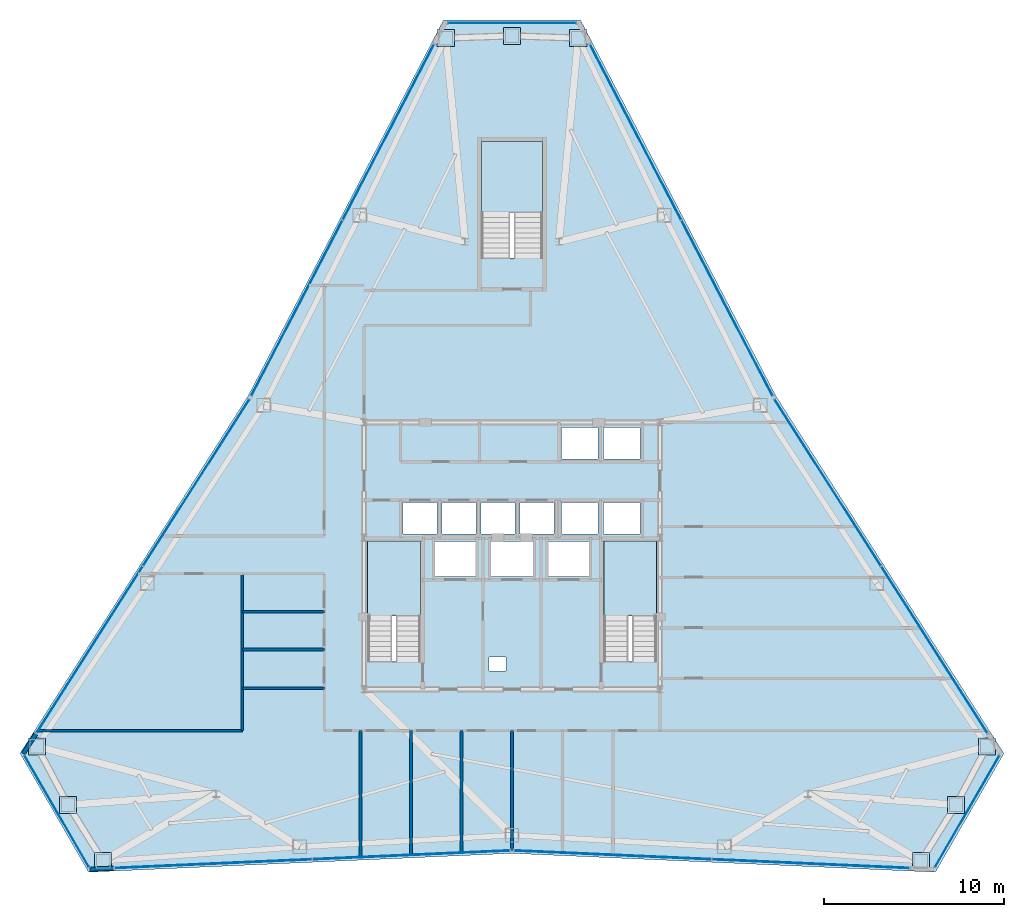
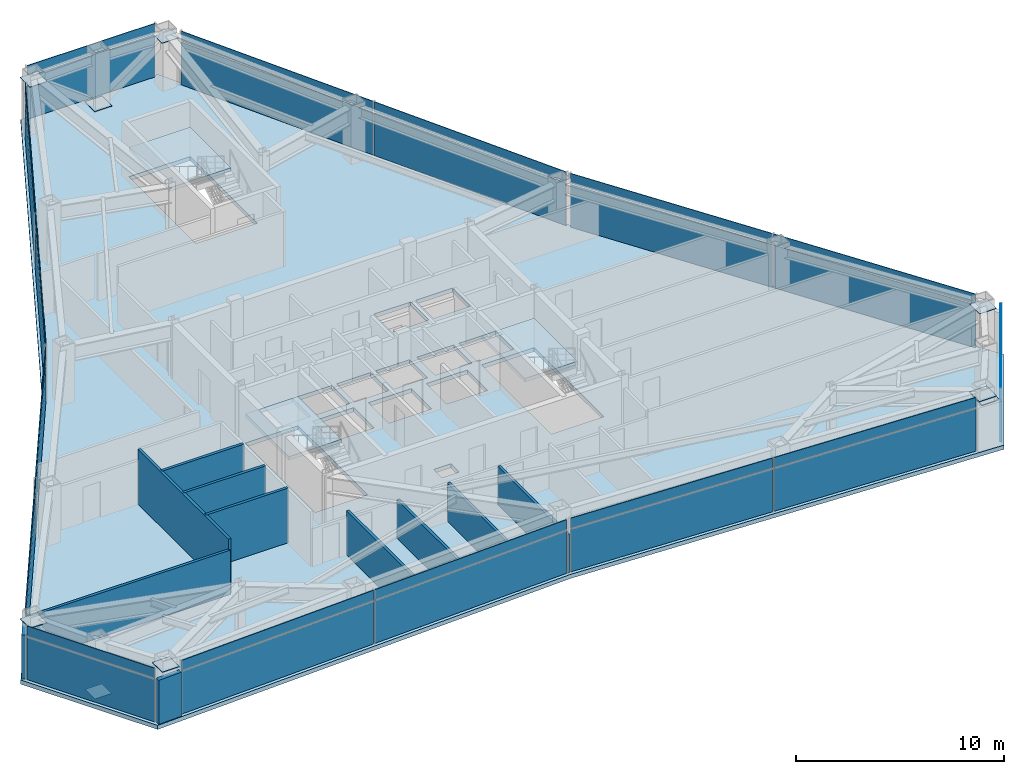
# One storey, part 9 of 13: 39 plates, 11 walls, 4 slabs, 12 elements without a shape of their own.
"""IFC4 building model written with IfcOpenShell, lengths in metres."""

from ifc_helpers import new_model, si_unit, direction, frame, frame_2d, origin, origin_2d, place, context, subcontext, project, spatial, polyline, rectangle, outline, extrude, source, transform, mapped, material, layer, layer_set, type_object, type_shapes, element, aggregate, save


model = new_model("IFC4")

# Units and contexts
model_context = context("Model", 3, precision=1e-05, world=origin(), true_north=direction((0.0, 1.0)))
body_context = subcontext(model_context, "Body", "Model", "MODEL_VIEW")
ifc_project = project(units=[si_unit("LENGTHUNIT", "METRE"), si_unit("AREAUNIT", "SQUARE_METRE"), si_unit("VOLUMEUNIT", "CUBIC_METRE"), si_unit("PLANEANGLEUNIT", "RADIAN"), si_unit("MASSUNIT", "GRAM", prefix="KILO")], contexts=[model_context])

# Site, building, storey
site_placement = place(None, origin())
site = spatial("IfcSite", under=ifc_project, at=site_placement, CompositionType="ELEMENT")
building_placement = place(site_placement, origin())
building = spatial("IfcBuilding", under=site, at=building_placement, Name="Varakhsha Concourse Tower", CompositionType="ELEMENT")
storey_placement = place(building_placement, frame((0.0, 0.0, 186.14990234375)))
storey = spatial("IfcBuildingStorey", under=building, at=storey_placement, Name="L53", CompositionType="ELEMENT", Elevation=186.14990234375)

# Slab
ifc_material_1 = material(Name="Concrete fc 45 MPa", Category="concrete")
ifc_layer_1 = layer(ifc_material_1, 0.239990234375, Name="SL-FLR-240")
ifc_layer_set_1 = layer_set([ifc_layer_1], Name="Concrete fc 45 MPa")
slab_type_1 = type_object("IfcSlabType", Name="SL-FLR-240", PredefinedType="FLOOR", material=ifc_layer_set_1)
slab_1_placement = place(storey_placement, frame((0.0, 0.0, -0.239990234375)))
element("IfcSlab", 1, at=slab_1_placement, inside=storey, type_object=slab_type_1, Name="L53 Composite Structural Slab", PredefinedType="FLOOR", context=body_context, shape_type="SweptSolid", body=[
    extrude(outline(polyline([(43.800048828125, 53.498291015625), (36.199951171875, 53.498291015625), (25.364501953125, 32.649658203125), (12.72705078125, 12.841796875), (16.527099609375, 6.260009765625), (40.0, 7.300537109375), (63.472900390625, 6.260009765625), (67.27294921875, 12.841796875), (54.635498046875, 32.649658203125), (43.800048828125, 53.498291015625)]), holes=[polyline([(34.919921875, 17.93994140625), (34.919921875, 24.6298828125), (32.0, 24.6298828125), (32.0, 17.93994140625), (34.919921875, 17.93994140625)]), polyline([(48.02001953125, 17.93994140625), (48.02001953125, 24.6298828125), (45.10009765625, 24.6298828125), (45.10009765625, 17.93994140625), (48.02001953125, 17.93994140625)]), polyline([(41.699951171875, 40.300048828125), (41.699951171875, 46.75), (38.300048828125, 46.75), (38.300048828125, 40.300048828125), (41.699951171875, 40.300048828125)]), polyline([(33.9599609375, 25.0), (35.840087890625, 25.0), (35.840087890625, 26.739990234375), (33.9599609375, 26.739990234375), (33.9599609375, 25.0)]), polyline([(36.1201171875, 25.0), (38.0, 25.0), (38.0, 26.739990234375), (36.1201171875, 26.739990234375), (36.1201171875, 25.0)]), polyline([(38.280029296875, 25.0), (40.159912109375, 25.0), (40.159912109375, 26.739990234375), (38.280029296875, 26.739990234375), (38.280029296875, 25.0)]), polyline([(40.43994140625, 25.0), (42.320068359375, 25.0), (42.320068359375, 26.739990234375), (40.43994140625, 26.739990234375), (40.43994140625, 25.0)]), polyline([(42.739990234375, 29.159912109375), (44.780029296875, 29.159912109375), (44.780029296875, 30.89990234375), (42.739990234375, 30.89990234375), (42.739990234375, 29.159912109375)]), polyline([(45.06005859375, 29.159912109375), (47.10009765625, 29.159912109375), (47.10009765625, 30.89990234375), (45.06005859375, 30.89990234375), (45.06005859375, 29.159912109375)]), polyline([(42.739990234375, 25.0), (44.780029296875, 25.0), (44.780029296875, 26.739990234375), (42.739990234375, 26.739990234375), (42.739990234375, 25.0)]), polyline([(45.06005859375, 25.0), (47.10009765625, 25.0), (47.10009765625, 26.739990234375), (45.06005859375, 26.739990234375), (45.06005859375, 25.0)]), polyline([(35.7099609375, 22.639892578125), (37.989990234375, 22.639892578125), (37.989990234375, 24.60009765625), (35.7099609375, 24.60009765625), (35.7099609375, 22.639892578125)]), polyline([(42.010009765625, 22.639892578125), (44.2900390625, 22.639892578125), (44.2900390625, 24.60009765625), (42.010009765625, 24.60009765625), (42.010009765625, 22.639892578125)]), polyline([(38.81005859375, 22.639892578125), (41.18994140625, 22.639892578125), (41.18994140625, 24.60009765625), (38.81005859375, 24.60009765625), (38.81005859375, 22.639892578125)]), polyline([(38.719970703125, 17.39990234375), (39.679931640625, 17.39990234375), (39.679931640625, 18.199951171875), (38.719970703125, 18.199951171875), (38.719970703125, 17.39990234375)])]), origin(), (0.0, 0.0, 1.0), 0.239990234375),
])

# Stair, slab
stair_type_1 = type_object("IfcStairType", Name="ST-DOGLEG-1360", PredefinedType="HALF_TURN_STAIR", material=ifc_material_1)
stair_1_placement = place(storey_placement, origin())
stair_1 = element("IfcStair", 2, at=stair_1_placement, inside=storey, type_object=stair_type_1, Name="L53 Protected Exit Stair ST1", PredefinedType="HALF_TURN_STAIR")
ifc_layer_2 = layer(ifc_material_1, 0.199951171875, Name="SL-LAND-200")
ifc_layer_set_2 = layer_set([ifc_layer_2], Name="Concrete fc 45 MPa")
slab_type_2 = type_object("IfcSlabType", Name="SL-LAND-200", PredefinedType="LANDING", material=ifc_layer_set_2)
slab_2_placement = place(storey_placement, frame((0.0, 0.0, 1.525146484375)))
slab_2 = element("IfcSlab", 3, at=slab_2_placement, type_object=slab_type_2, Name="ST1 landing 1", PredefinedType="LANDING", context=body_context, shape_type="SweptSolid", body=[
    extrude(outline(polyline([(34.919921875, 20.4599609375), (34.919921875, 24.6298828125), (32.0, 24.6298828125), (32.0, 20.4599609375), (34.919921875, 20.4599609375)])), origin(), (0.0, 0.0, 1.0), 0.199951171875),
])
aggregate(stair_1, [slab_2])

stair_2_placement = place(storey_placement, origin())
stair_2 = element("IfcStair", 4, at=stair_2_placement, inside=storey, type_object=stair_type_1, Name="L53 Protected Exit Stair ST2", PredefinedType="HALF_TURN_STAIR")
slab_3_placement = place(storey_placement, frame((0.0, 0.0, 1.525146484375)))
slab_3 = element("IfcSlab", 5, at=slab_3_placement, type_object=slab_type_2, Name="ST2 landing 1", PredefinedType="LANDING", context=body_context, shape_type="SweptSolid", body=[
    extrude(outline(polyline([(48.02001953125, 20.4599609375), (48.02001953125, 24.6298828125), (45.10009765625, 24.6298828125), (45.10009765625, 20.4599609375), (48.02001953125, 20.4599609375)])), origin(), (0.0, 0.0, 1.0), 0.199951171875),
])
aggregate(stair_2, [slab_3])

stair_type_2 = type_object("IfcStairType", Name="ST-DOGLEG-1600", PredefinedType="HALF_TURN_STAIR", material=ifc_material_1)
stair_3_placement = place(storey_placement, origin())
stair_3 = element("IfcStair", 6, at=stair_3_placement, inside=storey, type_object=stair_type_2, Name="L53 Protected Exit Stair ST5", PredefinedType="HALF_TURN_STAIR")
slab_4_placement = place(storey_placement, frame((0.0, 0.0, 1.525146484375)))
slab_4 = element("IfcSlab", 7, at=slab_4_placement, type_object=slab_type_2, Name="ST5 landing 1", PredefinedType="LANDING", context=body_context, shape_type="SweptSolid", body=[
    extrude(outline(polyline([(41.699951171875, 42.820068359375), (41.699951171875, 46.75), (38.300048828125, 46.75), (38.300048828125, 42.820068359375), (41.699951171875, 42.820068359375)])), origin(), (0.0, 0.0, 1.0), 0.199951171875),
])
aggregate(stair_3, [slab_4])

# Plates
ifc_material_2 = material(Name="Structural Steel ASTM A572 Grade 50", Category="steel")
ifc_layer_3 = layer(ifc_material_2, 0.030029296875, Name="PL-ENDCAP-950")
ifc_layer_set_3 = layer_set([ifc_layer_3], Name="Structural Steel ASTM A572 Grade 50")
plate_type_1 = type_object("IfcPlateType", Name="PL-ENDCAP-950", PredefinedType="USERDEFINED", material=ifc_layer_set_3)
shared_shape_1 = source(origin(), body_context, "Body", "SweptSolid", [
    extrude(rectangle(XDim=0.949951171875, YDim=0.949951171875, at=origin_2d()), origin(), (0.0, 0.0, 1.0), 0.030029296875),
])
type_shapes(plate_type_1, [shared_shape_1])
for number, where, z_axis, x_axis, name in (
    (8, (40.0, 52.6181640625, 0.10498046875), (0.0, 0.0, 1.0), (1.0, 0.0, 0.0), "Hollow Section End Cap GP-NODE-L53-0544"),
    (9, (43.669921875, 52.49462890625, 2.89501953125), (0.0, 0.0, 1.0), (1.0, 0.0, 0.0), "Hollow Section End Cap GP-NODE-L53-0545"),
    (10, (36.330078125, 52.49462890625, 2.89501953125), (0.0, 0.0, 1.0), (1.0, 0.0, 0.0), "Hollow Section End Cap GP-NODE-L53-0546"),
    (11, (15.38916015625, 9.990966796875, 0.10498046875), (0.0, 0.0, 1.0), (1.0, 0.0, 0.0), "Hollow Section End Cap GP-NODE-L53-0547"),
    (12, (13.6611328125, 13.23095703125, 2.89501953125), (0.0, 0.0, 1.0), (1.0, 0.0, 0.0), "Hollow Section End Cap GP-NODE-L53-0548"),
    (13, (17.3310546875, 6.87451171875, 2.89501953125), (0.0, 0.0, 1.0), (1.0, 0.0, 0.0), "Hollow Section End Cap GP-NODE-L53-0549"),
    (14, (64.61083984375, 9.990966796875, 0.10498046875), (0.0, 0.0, 1.0), (1.0, 0.0, 0.0), "Hollow Section End Cap GP-NODE-L53-0550"),
    (15, (62.6689453125, 6.87451171875, 2.89501953125), (0.0, 0.0, 1.0), (1.0, 0.0, 0.0), "Hollow Section End Cap GP-NODE-L53-0551"),
    (16, (66.3388671875, 13.23095703125, 2.89501953125), (0.0, 0.0, 1.0), (1.0, 0.0, 0.0), "Hollow Section End Cap GP-NODE-L53-0552"),
):
    element("IfcPlate", number, at=place(storey_placement, frame(where, z_axis=z_axis, x_axis=x_axis)), inside=storey, type_object=plate_type_1, Name=name, ObjectType="END PLATE", PredefinedType="USERDEFINED", context=body_context, shape_type="MappedRepresentation", body=[
        mapped(shared_shape_1, transform((0.0, 0.0, 0.0), scale=1.0)),
    ])

# Curtain wall, plates
ifc_material_3 = material(Name="Anodised Bronze Architectural Aluminium AA 6063-T6", Category="aluminium")
ifc_layer_4 = layer(ifc_material_3, 0.2099609375, Name="CW-SYS-04")
ifc_layer_set_4 = layer_set([ifc_layer_4], Name="Anodised Bronze Architectural Aluminium AA 6063-T6")
curtain_wall_type = type_object("IfcCurtainWallType", Name="CW-SYS-04", PredefinedType="NOTDEFINED", material=ifc_layer_set_4)
curtain_wall_1_placement = place(storey_placement, origin())
curtain_wall_1 = element("IfcCurtainWall", 17, at=curtain_wall_1_placement, inside=storey, type_object=curtain_wall_type, Name="L53 Crystal Curtain Wall F2", PredefinedType="NOTDEFINED")
ifc_material_4 = material(Name="Low-E Triple Insulating Glass IGU 44 mm", Category="glass")
ifc_layer_5 = layer(ifc_material_4, 0.0439453125, Name="CWP-IGU-44")
ifc_layer_set_5 = layer_set([ifc_layer_5], Name="Low-E Triple Insulating Glass IGU 44 mm")
plate_type_2 = type_object("IfcPlateType", Name="CWP-IGU-44", PredefinedType="CURTAIN_PANEL", material=ifc_layer_set_5)
shared_shape_2 = source(origin(), body_context, "Body", "SweptSolid", [
    extrude(rectangle(XDim=10.928955078125, YDim=0.0439453125, at=origin_2d()), origin(), (0.0, 0.0, 1.0), 2.49609375),
])
plate_1_placement = place(storey_placement, frame((28.079345703125, 37.5263671875, 0.031982421875), z_axis=(0.0, 0.0, 1.0), x_axis=(0.461155577875, 0.887319295967, 0.0)))
plate_1 = element("IfcPlate", 18, at=plate_1_placement, type_object=plate_type_2, Name="CW-L53-F2 Panel 00-00", PredefinedType="CURTAIN_PANEL", context=body_context, shape_type="MappedRepresentation", body=[
    mapped(shared_shape_2, transform((0.0, 0.0, 0.0), scale=1.0)),
])
plate_2_placement = place(storey_placement, frame((33.151123046875, 47.284912109375, 0.031982421875), z_axis=(0.0, 0.0, 1.0), x_axis=(0.461155577875, 0.887319295967, 0.0)))
plate_2 = element("IfcPlate", 19, at=plate_2_placement, type_object=plate_type_2, Name="CW-L53-F2 Panel 01-00", PredefinedType="CURTAIN_PANEL", context=body_context, shape_type="MappedRepresentation", body=[
    mapped(shared_shape_2, transform((0.0, 0.0, 0.0), scale=1.0)),
])

# Curtain wall, plate
curtain_wall_2_placement = place(storey_placement, origin())
curtain_wall_2 = element("IfcCurtainWall", 20, at=curtain_wall_2_placement, inside=storey, type_object=curtain_wall_type, Name="L53 Crystal Curtain Wall F3", PredefinedType="NOTDEFINED")
plate_3_placement = place(storey_placement, frame((16.583251953125, 18.588623046875, 0.031982421875), z_axis=(0.0, 0.0, 1.0), x_axis=(0.537863262638, 0.84303209352, 0.0)))
plate_3 = element("IfcPlate", 21, at=plate_3_placement, type_object=plate_type_2, Name="CW-L53-F3 Panel 00-00", PredefinedType="CURTAIN_PANEL", context=body_context, shape_type="MappedRepresentation", body=[
    mapped(shared_shape_2, transform((0.0, 0.0, 0.0), scale=1.0)),
])

curtain_wall_3_placement = place(storey_placement, origin())
curtain_wall_3 = element("IfcCurtainWall", 22, at=curtain_wall_3_placement, inside=storey, type_object=curtain_wall_type, Name="L53 Crystal Curtain Wall F5", PredefinedType="NOTDEFINED")
plate_4_placement = place(storey_placement, frame((34.41943359375, 7.21337890625, 0.031982421875), z_axis=(0.0, 0.0, 1.0), x_axis=(-0.999018917807, -0.04428545883, 0.0)))
plate_4 = element("IfcPlate", 23, at=plate_4_placement, type_object=plate_type_2, Name="CW-L53-F5 Panel 00-00", PredefinedType="CURTAIN_PANEL", context=body_context, shape_type="MappedRepresentation", body=[
    mapped(shared_shape_2, transform((0.0, 0.0, 0.0), scale=1.0)),
])

curtain_wall_4_placement = place(storey_placement, origin())
curtain_wall_4 = element("IfcCurtainWall", 24, at=curtain_wall_4_placement, inside=storey, type_object=curtain_wall_type, Name="L53 Crystal Curtain Wall F6", PredefinedType="NOTDEFINED")
plate_5_placement = place(storey_placement, frame((56.56787109375, 6.726318359375, 0.031982421875), z_axis=(0.0, 0.0, 1.0), x_axis=(-0.999018917807, 0.04428545883, 0.0)))
plate_5 = element("IfcPlate", 25, at=plate_5_placement, type_object=plate_type_2, Name="CW-L53-F6 Panel 00-00", PredefinedType="CURTAIN_PANEL", context=body_context, shape_type="MappedRepresentation", body=[
    mapped(shared_shape_2, transform((0.0, 0.0, 0.0), scale=1.0)),
])

curtain_wall_5_placement = place(storey_placement, origin())
curtain_wall_5 = element("IfcCurtainWall", 26, at=curtain_wall_5_placement, inside=storey, type_object=curtain_wall_type, Name="L53 Crystal Curtain Wall F8", PredefinedType="NOTDEFINED")
plate_6_placement = place(storey_placement, frame((57.501220703125, 27.8603515625, 0.031982421875), z_axis=(0.0, 0.0, 1.0), x_axis=(0.537863262638, -0.84303209352, 0.0)))
plate_6 = element("IfcPlate", 27, at=plate_6_placement, type_object=plate_type_2, Name="CW-L53-F8 Panel 00-00", PredefinedType="CURTAIN_PANEL", context=body_context, shape_type="MappedRepresentation", body=[
    mapped(shared_shape_2, transform((0.0, 0.0, 0.0), scale=1.0)),
])

# Curtain wall, plates
curtain_wall_6_placement = place(storey_placement, origin())
curtain_wall_6 = element("IfcCurtainWall", 28, at=curtain_wall_6_placement, inside=storey, type_object=curtain_wall_type, Name="L53 Crystal Curtain Wall F9", PredefinedType="NOTDEFINED")
plate_7_placement = place(storey_placement, frame((46.848876953125, 47.284912109375, 0.031982421875), z_axis=(0.0, 0.0, 1.0), x_axis=(0.461155577875, -0.887319295967, 0.0)))
plate_7 = element("IfcPlate", 29, at=plate_7_placement, type_object=plate_type_2, Name="CW-L53-F9 Panel 00-00", PredefinedType="CURTAIN_PANEL", context=body_context, shape_type="MappedRepresentation", body=[
    mapped(shared_shape_2, transform((0.0, 0.0, 0.0), scale=1.0)),
])
plate_8_placement = place(storey_placement, frame((51.920654296875, 37.5263671875, 0.031982421875), z_axis=(0.0, 0.0, 1.0), x_axis=(0.461155577875, -0.887319295967, 0.0)))
plate_8 = element("IfcPlate", 30, at=plate_8_placement, type_object=plate_type_2, Name="CW-L53-F9 Panel 01-00", PredefinedType="CURTAIN_PANEL", context=body_context, shape_type="MappedRepresentation", body=[
    mapped(shared_shape_2, transform((0.0, 0.0, 0.0), scale=1.0)),
])

# Plate
ifc_material_5 = material(Name="Insulated Anodised Bronze Aluminium Spandrel 36 mm", Category="aluminium")
ifc_layer_6 = layer(ifc_material_5, 0.035888671875, Name="CWP-SPN-36")
ifc_layer_set_6 = layer_set([ifc_layer_6], Name="Insulated Anodised Bronze Aluminium Spandrel 36 mm")
plate_type_3 = type_object("IfcPlateType", Name="CWP-SPN-36", PredefinedType="USERDEFINED", material=ifc_layer_set_6)
shared_shape_3 = source(origin(), body_context, "Body", "SweptSolid", [
    extrude(rectangle(XDim=10.928955078125, YDim=0.035888671875, at=origin_2d()), origin(), (0.0, 0.0, 1.0), 0.5859375),
])
plate_9_placement = place(storey_placement, frame((28.079345703125, 37.5263671875, 2.592041015625), z_axis=(0.0, 0.0, 1.0), x_axis=(0.461155577875, 0.887319295967, 0.0)))
plate_9 = element("IfcPlate", 31, at=plate_9_placement, type_object=plate_type_3, Name="CW-L53-F2 Panel 00-01", ObjectType="SPANDREL", PredefinedType="USERDEFINED", context=body_context, shape_type="MappedRepresentation", body=[
    mapped(shared_shape_3, transform((0.0, 0.0, 0.0), scale=1.0)),
])

plate_10_placement = place(storey_placement, frame((33.151123046875, 47.284912109375, 2.592041015625), z_axis=(0.0, 0.0, 1.0), x_axis=(0.461155577875, 0.887319295967, 0.0)))
plate_10 = element("IfcPlate", 32, at=plate_10_placement, type_object=plate_type_3, Name="CW-L53-F2 Panel 01-01", ObjectType="SPANDREL", PredefinedType="USERDEFINED", context=body_context, shape_type="MappedRepresentation", body=[
    mapped(shared_shape_3, transform((0.0, 0.0, 0.0), scale=1.0)),
])

aggregate(curtain_wall_1, [plate_1, plate_9, plate_2, plate_10])

plate_11_placement = place(storey_placement, frame((16.583251953125, 18.588623046875, 2.592041015625), z_axis=(0.0, 0.0, 1.0), x_axis=(0.537863262638, 0.84303209352, 0.0)))
plate_11 = element("IfcPlate", 33, at=plate_11_placement, type_object=plate_type_3, Name="CW-L53-F3 Panel 00-01", ObjectType="SPANDREL", PredefinedType="USERDEFINED", context=body_context, shape_type="MappedRepresentation", body=[
    mapped(shared_shape_3, transform((0.0, 0.0, 0.0), scale=1.0)),
])

plate_12_placement = place(storey_placement, frame((34.41943359375, 7.21337890625, 2.592041015625), z_axis=(0.0, 0.0, 1.0), x_axis=(-0.999018917807, -0.04428545883, 0.0)))
plate_12 = element("IfcPlate", 34, at=plate_12_placement, type_object=plate_type_3, Name="CW-L53-F5 Panel 00-01", ObjectType="SPANDREL", PredefinedType="USERDEFINED", context=body_context, shape_type="MappedRepresentation", body=[
    mapped(shared_shape_3, transform((0.0, 0.0, 0.0), scale=1.0)),
])

plate_13_placement = place(storey_placement, frame((56.56787109375, 6.726318359375, 2.592041015625), z_axis=(0.0, 0.0, 1.0), x_axis=(-0.999018917807, 0.04428545883, 0.0)))
plate_13 = element("IfcPlate", 35, at=plate_13_placement, type_object=plate_type_3, Name="CW-L53-F6 Panel 00-01", ObjectType="SPANDREL", PredefinedType="USERDEFINED", context=body_context, shape_type="MappedRepresentation", body=[
    mapped(shared_shape_3, transform((0.0, 0.0, 0.0), scale=1.0)),
])

plate_14_placement = place(storey_placement, frame((57.501220703125, 27.8603515625, 2.592041015625), z_axis=(0.0, 0.0, 1.0), x_axis=(0.537863262638, -0.84303209352, 0.0)))
plate_14 = element("IfcPlate", 36, at=plate_14_placement, type_object=plate_type_3, Name="CW-L53-F8 Panel 00-01", ObjectType="SPANDREL", PredefinedType="USERDEFINED", context=body_context, shape_type="MappedRepresentation", body=[
    mapped(shared_shape_3, transform((0.0, 0.0, 0.0), scale=1.0)),
])

plate_15_placement = place(storey_placement, frame((46.848876953125, 47.284912109375, 2.592041015625), z_axis=(0.0, 0.0, 1.0), x_axis=(0.461155577875, -0.887319295967, 0.0)))
plate_15 = element("IfcPlate", 37, at=plate_15_placement, type_object=plate_type_3, Name="CW-L53-F9 Panel 00-01", ObjectType="SPANDREL", PredefinedType="USERDEFINED", context=body_context, shape_type="MappedRepresentation", body=[
    mapped(shared_shape_3, transform((0.0, 0.0, 0.0), scale=1.0)),
])

plate_16_placement = place(storey_placement, frame((51.920654296875, 37.5263671875, 2.592041015625), z_axis=(0.0, 0.0, 1.0), x_axis=(0.461155577875, -0.887319295967, 0.0)))
plate_16 = element("IfcPlate", 38, at=plate_16_placement, type_object=plate_type_3, Name="CW-L53-F9 Panel 01-01", ObjectType="SPANDREL", PredefinedType="USERDEFINED", context=body_context, shape_type="MappedRepresentation", body=[
    mapped(shared_shape_3, transform((0.0, 0.0, 0.0), scale=1.0)),
])

aggregate(curtain_wall_6, [plate_7, plate_15, plate_8, plate_16])

shared_shape_4 = source(origin(), body_context, "Body", "SweptSolid", [
    extrude(rectangle(XDim=10.92919921875, YDim=0.0439453125, at=origin_2d()), origin(), (0.0, 0.0, 1.0), 2.49609375),
])
type_shapes(plate_type_2, [shared_shape_2, shared_shape_4])
plate_17_placement = place(storey_placement, frame((22.498779296875, 27.8603515625, 0.031982421875), z_axis=(0.0, 0.0, 1.0), x_axis=(0.537863262638, 0.84303209352, 0.0)))
plate_17 = element("IfcPlate", 39, at=plate_17_placement, type_object=plate_type_2, Name="CW-L53-F3 Panel 01-00", PredefinedType="CURTAIN_PANEL", context=body_context, shape_type="MappedRepresentation", body=[
    mapped(shared_shape_4, transform((0.0, 0.0, 0.0), scale=1.0)),
])

plate_18_placement = place(storey_placement, frame((23.43212890625, 6.726318359375, 0.031982421875), z_axis=(0.0, 0.0, 1.0), x_axis=(-0.999018917807, -0.04428545883, 0.0)))
plate_18 = element("IfcPlate", 40, at=plate_18_placement, type_object=plate_type_2, Name="CW-L53-F5 Panel 01-00", PredefinedType="CURTAIN_PANEL", context=body_context, shape_type="MappedRepresentation", body=[
    mapped(shared_shape_4, transform((0.0, 0.0, 0.0), scale=1.0)),
])

plate_19_placement = place(storey_placement, frame((45.58056640625, 7.21337890625, 0.031982421875), z_axis=(0.0, 0.0, 1.0), x_axis=(-0.999018917807, 0.04428545883, 0.0)))
plate_19 = element("IfcPlate", 41, at=plate_19_placement, type_object=plate_type_2, Name="CW-L53-F6 Panel 01-00", PredefinedType="CURTAIN_PANEL", context=body_context, shape_type="MappedRepresentation", body=[
    mapped(shared_shape_4, transform((0.0, 0.0, 0.0), scale=1.0)),
])

plate_20_placement = place(storey_placement, frame((63.416748046875, 18.588623046875, 0.031982421875), z_axis=(0.0, 0.0, 1.0), x_axis=(0.537863262638, -0.84303209352, 0.0)))
plate_20 = element("IfcPlate", 42, at=plate_20_placement, type_object=plate_type_2, Name="CW-L53-F8 Panel 01-00", PredefinedType="CURTAIN_PANEL", context=body_context, shape_type="MappedRepresentation", body=[
    mapped(shared_shape_4, transform((0.0, 0.0, 0.0), scale=1.0)),
])

shared_shape_5 = source(origin(), body_context, "Body", "SweptSolid", [
    extrude(rectangle(XDim=10.92919921875, YDim=0.035888671875, at=origin_2d()), origin(), (0.0, 0.0, 1.0), 0.5859375),
])
plate_21_placement = place(storey_placement, frame((22.498779296875, 27.8603515625, 2.592041015625), z_axis=(0.0, 0.0, 1.0), x_axis=(0.537863262638, 0.84303209352, 0.0)))
plate_21 = element("IfcPlate", 43, at=plate_21_placement, type_object=plate_type_3, Name="CW-L53-F3 Panel 01-01", ObjectType="SPANDREL", PredefinedType="USERDEFINED", context=body_context, shape_type="MappedRepresentation", body=[
    mapped(shared_shape_5, transform((0.0, 0.0, 0.0), scale=1.0)),
])

aggregate(curtain_wall_2, [plate_3, plate_11, plate_17, plate_21])

plate_22_placement = place(storey_placement, frame((23.43212890625, 6.726318359375, 2.592041015625), z_axis=(0.0, 0.0, 1.0), x_axis=(-0.999018917807, -0.04428545883, 0.0)))
plate_22 = element("IfcPlate", 44, at=plate_22_placement, type_object=plate_type_3, Name="CW-L53-F5 Panel 01-01", ObjectType="SPANDREL", PredefinedType="USERDEFINED", context=body_context, shape_type="MappedRepresentation", body=[
    mapped(shared_shape_5, transform((0.0, 0.0, 0.0), scale=1.0)),
])

aggregate(curtain_wall_3, [plate_4, plate_12, plate_18, plate_22])

plate_23_placement = place(storey_placement, frame((45.58056640625, 7.21337890625, 2.592041015625), z_axis=(0.0, 0.0, 1.0), x_axis=(-0.999018917807, 0.04428545883, 0.0)))
plate_23 = element("IfcPlate", 45, at=plate_23_placement, type_object=plate_type_3, Name="CW-L53-F6 Panel 01-01", ObjectType="SPANDREL", PredefinedType="USERDEFINED", context=body_context, shape_type="MappedRepresentation", body=[
    mapped(shared_shape_5, transform((0.0, 0.0, 0.0), scale=1.0)),
])

aggregate(curtain_wall_4, [plate_5, plate_13, plate_19, plate_23])

plate_24_placement = place(storey_placement, frame((63.416748046875, 18.588623046875, 2.592041015625), z_axis=(0.0, 0.0, 1.0), x_axis=(0.537863262638, -0.84303209352, 0.0)))
plate_24 = element("IfcPlate", 46, at=plate_24_placement, type_object=plate_type_3, Name="CW-L53-F8 Panel 01-01", ObjectType="SPANDREL", PredefinedType="USERDEFINED", context=body_context, shape_type="MappedRepresentation", body=[
    mapped(shared_shape_5, transform((0.0, 0.0, 0.0), scale=1.0)),
])

aggregate(curtain_wall_5, [plate_6, plate_14, plate_20, plate_24])

# Curtain wall, plate
curtain_wall_7_placement = place(storey_placement, origin())
curtain_wall_7 = element("IfcCurtainWall", 47, at=curtain_wall_7_placement, inside=storey, type_object=curtain_wall_type, Name="L53 Chamfer Curtain Wall F1", PredefinedType="NOTDEFINED")
shared_shape_6 = source(origin(), body_context, "Body", "SweptSolid", [
    extrude(rectangle(XDim=7.091064453125, YDim=0.035888671875, at=origin_2d()), origin(), (0.0, 0.0, 1.0), 2.49609375),
])
plate_25_placement = place(storey_placement, frame((40.0, 53.338134765625, 0.031982421875), z_axis=(0.0, 0.0, 1.0), x_axis=(1.0, 0.0, 0.0)))
plate_25 = element("IfcPlate", 48, at=plate_25_placement, type_object=plate_type_3, Name="CW-L53-F1 Panel 00-00", ObjectType="SPANDREL", PredefinedType="USERDEFINED", context=body_context, shape_type="MappedRepresentation", body=[
    mapped(shared_shape_6, transform((0.0, 0.0, 0.0), scale=1.0)),
])

curtain_wall_8_placement = place(storey_placement, origin())
curtain_wall_8 = element("IfcCurtainWall", 49, at=curtain_wall_8_placement, inside=storey, type_object=curtain_wall_type, Name="L53 Chamfer Curtain Wall F4", PredefinedType="NOTDEFINED")
plate_26_placement = place(storey_placement, frame((14.765625, 9.630859375, 0.031982421875), z_axis=(0.0, 0.0, 1.0), x_axis=(-0.499996976998, 0.866027149108, 0.0)))
plate_26 = element("IfcPlate", 50, at=plate_26_placement, type_object=plate_type_3, Name="CW-L53-F4 Panel 00-00", ObjectType="SPANDREL", PredefinedType="USERDEFINED", context=body_context, shape_type="MappedRepresentation", body=[
    mapped(shared_shape_6, transform((0.0, 0.0, 0.0), scale=1.0)),
])

curtain_wall_9_placement = place(storey_placement, origin())
curtain_wall_9 = element("IfcCurtainWall", 51, at=curtain_wall_9_placement, inside=storey, type_object=curtain_wall_type, Name="L53 Chamfer Curtain Wall F7", PredefinedType="NOTDEFINED")
plate_27_placement = place(storey_placement, frame((65.234375, 9.630859375, 0.031982421875), z_axis=(0.0, 0.0, 1.0), x_axis=(-0.499996976998, -0.866027149108, 0.0)))
plate_27 = element("IfcPlate", 52, at=plate_27_placement, type_object=plate_type_3, Name="CW-L53-F7 Panel 00-00", ObjectType="SPANDREL", PredefinedType="USERDEFINED", context=body_context, shape_type="MappedRepresentation", body=[
    mapped(shared_shape_6, transform((0.0, 0.0, 0.0), scale=1.0)),
])

# Plate
shared_shape_7 = source(origin(), body_context, "Body", "SweptSolid", [
    extrude(rectangle(XDim=7.091064453125, YDim=0.035888671875, at=origin_2d()), origin(), (0.0, 0.0, 1.0), 0.5859375),
])
type_shapes(plate_type_3, [shared_shape_3, shared_shape_5, shared_shape_6, shared_shape_7])
plate_28_placement = place(storey_placement, frame((40.0, 53.338134765625, 2.592041015625), z_axis=(0.0, 0.0, 1.0), x_axis=(1.0, 0.0, 0.0)))
plate_28 = element("IfcPlate", 53, at=plate_28_placement, type_object=plate_type_3, Name="CW-L53-F1 Panel 00-01", ObjectType="SPANDREL", PredefinedType="USERDEFINED", context=body_context, shape_type="MappedRepresentation", body=[
    mapped(shared_shape_7, transform((0.0, 0.0, 0.0), scale=1.0)),
])

aggregate(curtain_wall_7, [plate_25, plate_28])

plate_29_placement = place(storey_placement, frame((14.765625, 9.630859375, 2.592041015625), z_axis=(0.0, 0.0, 1.0), x_axis=(-0.499996976998, 0.866027149108, 0.0)))
plate_29 = element("IfcPlate", 54, at=plate_29_placement, type_object=plate_type_3, Name="CW-L53-F4 Panel 00-01", ObjectType="SPANDREL", PredefinedType="USERDEFINED", context=body_context, shape_type="MappedRepresentation", body=[
    mapped(shared_shape_7, transform((0.0, 0.0, 0.0), scale=1.0)),
])

aggregate(curtain_wall_8, [plate_26, plate_29])

plate_30_placement = place(storey_placement, frame((65.234375, 9.630859375, 2.592041015625), z_axis=(0.0, 0.0, 1.0), x_axis=(-0.499996976998, -0.866027149108, 0.0)))
plate_30 = element("IfcPlate", 55, at=plate_30_placement, type_object=plate_type_3, Name="CW-L53-F7 Panel 00-01", ObjectType="SPANDREL", PredefinedType="USERDEFINED", context=body_context, shape_type="MappedRepresentation", body=[
    mapped(shared_shape_7, transform((0.0, 0.0, 0.0), scale=1.0)),
])

aggregate(curtain_wall_9, [plate_27, plate_30])

# Walls
ifc_layer_7 = layer(ifc_material_1, 0.239990234375, Name="WL-EXT-CRN-240")
ifc_layer_set_7 = layer_set([ifc_layer_7], Name="Concrete fc 45 MPa")
wall_type_1 = type_object("IfcWallType", Name="WL-EXT-CRN-240", PredefinedType="SHEAR", material=ifc_layer_set_7)
for number, where, z_axis, x_axis, name in (
    (56, (13.608154296875, 13.92529296875, 0.0), (0.0, 0.0, 1.0), (-0.537970071256, -0.842963938987, 0.0), "L53 Wind-Corner Shoulder Wall F3"),
    (57, (16.60888671875, 6.423828125, 0.0), (0.0, 0.0, 1.0), (0.999023236483, 0.044187927832, 0.0), "L53 Wind-Corner Shoulder Wall F5"),
):
    element("IfcWall", number, at=place(storey_placement, frame(where, z_axis=z_axis, x_axis=x_axis)), inside=storey, type_object=wall_type_1, Name=name, PredefinedType="SHEAR", context=body_context, shape_type="SweptSolid", body=[
        extrude(rectangle(XDim=1.29833984375, YDim=0.239990234375, at=frame_2d((0.649169921875, 0.0))), origin(), (0.0, 0.0, 1.0), 2.5830078125),
    ])
ifc_material_6 = material(Name="Fire-Rated Type X Gypsum Partition Assembly", Category="gypsum")
ifc_layer_8 = layer(ifc_material_6, 0.14990234375, Name="WL-PART-150")
ifc_layer_set_8 = layer_set([ifc_layer_8], Name="Fire-Rated Type X Gypsum Partition Assembly")
wall_type_2 = type_object("IfcWallType", Name="WL-PART-150", PredefinedType="PARTITIONING", material=ifc_layer_set_8)
wall_1_placement = place(storey_placement, frame((25.050048828125, 14.10009765625, 0.0), z_axis=(0.0, 0.0, 1.0), x_axis=(0.0, 1.0, 0.0)))
element("IfcWall", 58, at=wall_1_placement, inside=storey, type_object=wall_type_2, Name="L53 Wall C2WC-W-L53", PredefinedType="PARTITIONING", context=body_context, shape_type="SweptSolid", body=[
    extrude(rectangle(XDim=8.699951171875, YDim=0.14990234375, at=frame_2d((4.35009765625, 0.0))), origin(), (0.0, 0.0, 1.0), 3.210205078125),
])
for number, where, z_axis, x_axis, name in (
    (59, (25.050048828125, 16.449951171875, 0.0), (0.0, 0.0, 1.0), (1.0, 0.0, 0.0), "L53 Wall C2WC-S-L53"),
    (60, (25.050048828125, 18.60009765625, 0.0), (0.0, 0.0, 1.0), (1.0, 0.0, 0.0), "L53 Wall C2WC-D1-L53"),
    (61, (25.050048828125, 20.699951171875, 0.0), (0.0, 0.0, 1.0), (1.0, 0.0, 0.0), "L53 Wall C2WC-D2-L53"),
):
    element("IfcWall", number, at=place(storey_placement, frame(where, z_axis=z_axis, x_axis=x_axis)), inside=storey, type_object=wall_type_2, Name=name, PredefinedType="PARTITIONING", context=body_context, shape_type="SweptSolid", body=[
        extrude(rectangle(XDim=4.550048828125, YDim=0.14990234375, at=frame_2d((2.27490234375, 0.0))), origin(), (0.0, 0.0, 1.0), 3.210205078125),
    ])
wall_2_placement = place(storey_placement, frame((31.60009765625, 7.09326171875, 0.0), z_axis=(0.0, 0.0, 1.0), x_axis=(0.0, 1.0, 0.0)))
element("IfcWall", 62, at=wall_2_placement, inside=storey, type_object=wall_type_2, Name="L53 Wall ODIV-S1-L53", PredefinedType="PARTITIONING", context=body_context, shape_type="SweptSolid", body=[
    extrude(rectangle(XDim=7.0068359375, YDim=0.14990234375, at=frame_2d((3.50341796875, 0.0))), origin(), (0.0, 0.0, 1.0), 2.589111328125),
])
wall_3_placement = place(storey_placement, frame((34.39990234375, 7.21728515625, 0.0), z_axis=(0.0, 0.0, 1.0), x_axis=(0.0, 1.0, 0.0)))
element("IfcWall", 63, at=wall_3_placement, inside=storey, type_object=wall_type_2, Name="L53 Wall ODIV-S2-L53", PredefinedType="PARTITIONING", context=body_context, shape_type="SweptSolid", body=[
    extrude(rectangle(XDim=6.8828125, YDim=0.14990234375, at=frame_2d((3.44140625, 0.0))), origin(), (0.0, 0.0, 1.0), 2.252197265625),
])
wall_4_placement = place(storey_placement, frame((37.199951171875, 7.341552734375, 0.0), z_axis=(0.0, 0.0, 1.0), x_axis=(0.0, 1.0, 0.0)))
element("IfcWall", 64, at=wall_4_placement, inside=storey, type_object=wall_type_2, Name="L53 Wall ODIV-S3-L53", PredefinedType="PARTITIONING", context=body_context, shape_type="SweptSolid", body=[
    extrude(rectangle(XDim=6.758544921875, YDim=0.14990234375, at=frame_2d((3.37939453125, 0.0))), origin(), (0.0, 0.0, 1.0), 2.252197265625),
])
wall_5_placement = place(storey_placement, frame((40.0, 7.46533203125, 0.0), z_axis=(0.0, 0.0, 1.0), x_axis=(0.0, 1.0, 0.0)))
element("IfcWall", 65, at=wall_5_placement, inside=storey, type_object=wall_type_2, Name="L53 Wall ODIV-S4-L53", PredefinedType="PARTITIONING", context=body_context, shape_type="SweptSolid", body=[
    extrude(rectangle(XDim=6.634765625, YDim=0.14990234375, at=frame_2d((3.3173828125, 0.0))), origin(), (0.0, 0.0, 1.0), 2.252197265625),
])
wall_6_placement = place(storey_placement, frame((13.7255859375, 14.10009765625, 0.0), z_axis=(0.0, 0.0, 1.0), x_axis=(1.0, 0.0, 0.0)))
element("IfcWall", 66, at=wall_6_placement, inside=storey, type_object=wall_type_2, Name="L53 Wall ODIV-SWB-L53", PredefinedType="PARTITIONING", context=body_context, shape_type="SweptSolid", body=[
    extrude(rectangle(XDim=11.324462890625, YDim=0.14990234375, at=frame_2d((5.662109375, 0.0))), origin(), (0.0, 0.0, 1.0), 2.589111328125),
])

save(model, "model.ifc")
